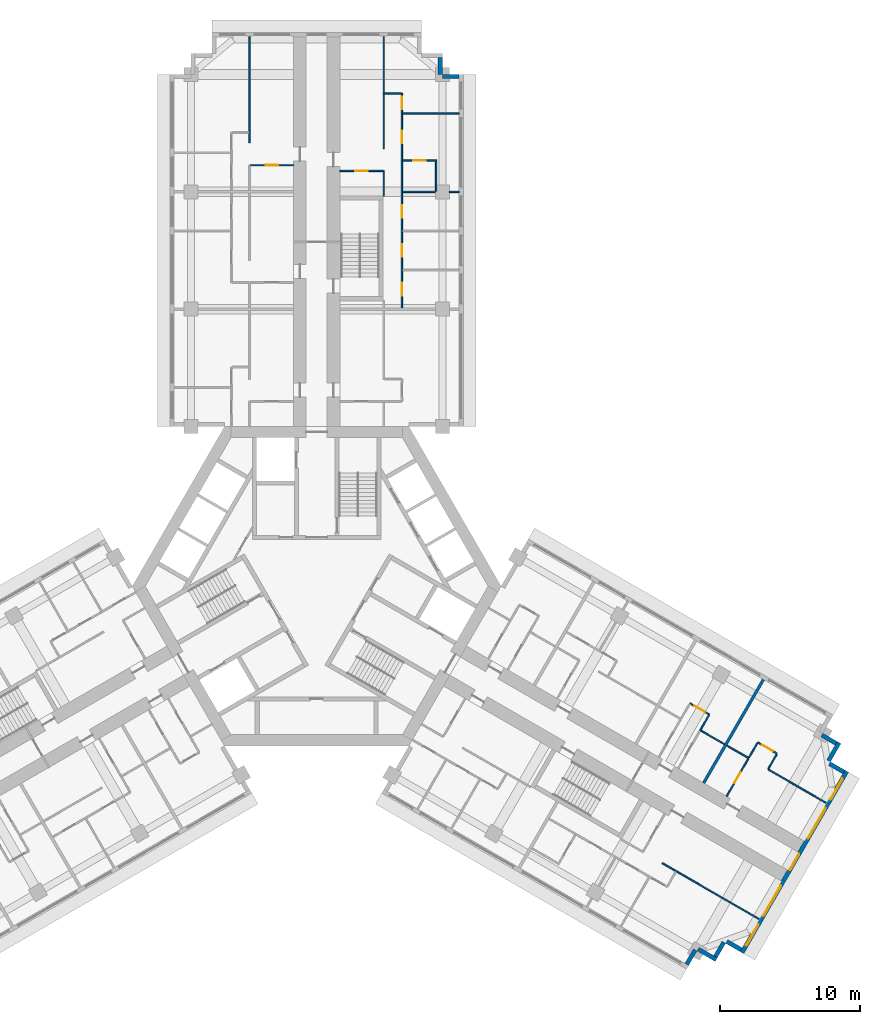
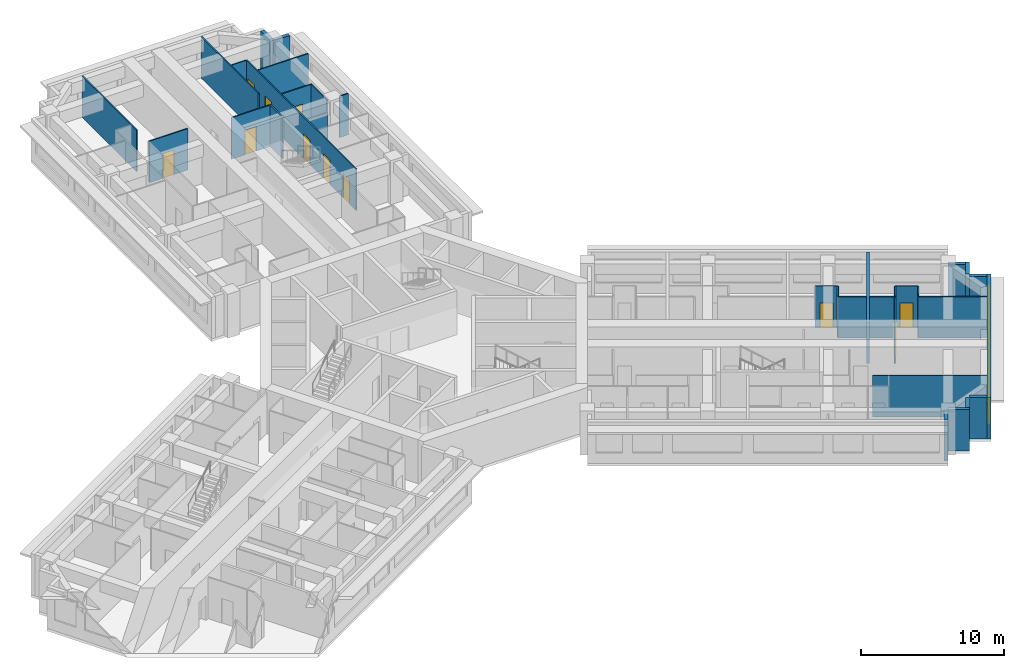
# One storey, part 10 of 12: 33 walls, 11 doors, 5 windows, 16 openings.
"""IFC4 building model written with IfcOpenShell, lengths in metres."""

from ifc_helpers import new_model, si_unit, direction, frame, frame_2d, origin, place, context, subcontext, project, spatial, rectangle, extrude, material, layer, layer_set, type_object, element, fill, save


model = new_model("IFC4")

# Units and contexts
model_context = context("Model", 3, precision=1e-05, world=origin(), true_north=direction((0.0, 1.0)))
body_context = subcontext(model_context, "Body", "Model", "MODEL_VIEW")
ifc_project = project(units=[si_unit("LENGTHUNIT", "METRE"), si_unit("AREAUNIT", "SQUARE_METRE"), si_unit("VOLUMEUNIT", "CUBIC_METRE"), si_unit("PLANEANGLEUNIT", "RADIAN"), si_unit("MASSUNIT", "GRAM", prefix="KILO")], contexts=[model_context])

# Site, building, storey
site_placement = place(None, origin())
site = spatial("IfcSite", under=ifc_project, at=site_placement, CompositionType="ELEMENT")
building_placement = place(site_placement, origin())
building = spatial("IfcBuilding", under=site, at=building_placement, Name="Impinga Residences", CompositionType="ELEMENT")
storey_placement = place(building_placement, frame((0.0, 0.0, 166.0)))
storey = spatial("IfcBuildingStorey", under=building, at=storey_placement, Name="L41", CompositionType="ELEMENT", Elevation=166.0)

# Walls
ifc_material_1 = material(Name="Terracotta rainscreen on blockwork", Category="masonry")
ifc_layer_1 = layer(ifc_material_1, 0.300048828125)
ifc_layer_set_1 = layer_set([ifc_layer_1], Name="EW1 external wall, terracotta rainscreen on blockwork 300")
wall_type_1 = type_object("IfcWallType", Name="EW1 external wall, terracotta rainscreen on blockwork 300", PredefinedType="SOLIDWALL", material=ifc_layer_set_1)
wall_1_placement = place(storey_placement, frame((8.85009765625, 37.83154296875, 0.0), z_axis=(0.0, 0.0, 1.0), x_axis=(0.0, -1.0, 0.0)))
element("IfcWall", 1, at=wall_1_placement, inside=storey, type_object=wall_type_1, Name="External wall EW1 L41", PredefinedType="SOLIDWALL", context=body_context, shape_type="SweptSolid", body=[
    extrude(rectangle(XDim=1.199951171875, YDim=0.300048828125, at=frame_2d((0.60009765625, 0.0))), origin(), (0.0, 0.0, 1.0), 3.530029296875),
])
for number, where, z_axis, x_axis, name in (
    (2, (9.0048828125, 36.4814453125, 0.0), (0.0, 0.0, 1.0), (1.0, 0.0, 0.0), "External wall EW1 L41"),
    (3, (36.153076171875, -10.654052734375, 0.0), (0.0, 0.0, 1.0), (0.866059708757, -0.499940577336, 0.0), "External wall EW1 L41"),
):
    element("IfcWall", number, at=place(storey_placement, frame(where, z_axis=z_axis, x_axis=x_axis)), inside=storey, type_object=wall_type_1, Name=name, PredefinedType="SOLIDWALL", context=body_context, shape_type="SweptSolid", body=[
        extrude(rectangle(XDim=1.195068359375, YDim=0.300048828125, at=frame_2d((0.59765625, 0.0))), origin(), (0.0, 0.0, 1.0), 3.530029296875),
    ])
wall_2_placement = place(storey_placement, frame((37.39306640625, -11.196533203125, 0.0), z_axis=(0.0, 0.0, 1.0), x_axis=(-0.499990139034, -0.866031096941, 0.0)))
element("IfcWall", 4, at=wall_2_placement, inside=storey, type_object=wall_type_1, Name="External wall EW1 L41", PredefinedType="SOLIDWALL", context=body_context, shape_type="SweptSolid", body=[
    extrude(rectangle(XDim=1.5, YDim=0.300048828125, at=frame_2d((0.75, 0.0))), origin(), (0.0, 0.0, 1.0), 3.530029296875),
])
wall_3_placement = place(storey_placement, frame((36.7021484375, -12.702880859375, 0.0), z_axis=(0.0, 0.0, 1.0), x_axis=(0.865971243484, -0.500093796661, 0.0)))
element("IfcWall", 5, at=wall_3_placement, inside=storey, type_object=wall_type_1, Name="External wall EW1 L41", PredefinedType="SOLIDWALL", context=body_context, shape_type="SweptSolid", body=[
    extrude(rectangle(XDim=1.195068359375, YDim=0.300048828125, at=frame_2d((0.59765625, 0.0))), origin(), (0.0, 0.0, 1.0), 3.530029296875),
])

# Wall, openings, windows
wall_4_placement = place(storey_placement, frame((37.94189453125, -13.24560546875, 0.0), z_axis=(0.0, 0.0, 1.0), x_axis=(-0.500004234368, -0.866022959057, 0.0)))
wall_4 = element("IfcWall", 6, at=wall_4_placement, inside=storey, type_object=wall_type_1, Name="External wall EW1 L41", PredefinedType="SOLIDWALL", context=body_context, shape_type="SweptSolid", body=[
    extrude(rectangle(XDim=14.999755859375, YDim=0.300048828125, at=frame_2d((7.5, 0.0))), origin(), (0.0, 0.0, 1.0), 3.530029296875),
])
opening_1_placement = place(wall_4_placement, frame((0.60009765625, 0.0, 0.89990234375)))
opening_1 = element("IfcOpeningElement", 7, at=opening_1_placement, cuts=wall_4, Name="Opening W1", PredefinedType="OPENING", context=body_context, shape_type="SweptSolid", body=[
    extrude(rectangle(XDim=1.75, YDim=2.050048828125, at=frame_2d((0.875, 1.02490234375))), frame((0.0, 0.159912109375, 0.0), z_axis=(0.0, -1.0, 0.0), x_axis=(1.0, 0.0, 0.0)), (0.0, 0.0, 1.0), 0.320068359375),
])
opening_2_placement = place(wall_4_placement, frame((3.050048828125, 0.0, 0.89990234375)))
opening_2 = element("IfcOpeningElement", 8, at=opening_2_placement, cuts=wall_4, Name="Opening W2", PredefinedType="OPENING", context=body_context, shape_type="SweptSolid", body=[
    extrude(rectangle(XDim=2.5, YDim=2.050048828125, at=frame_2d((1.25, 1.02490234375))), frame((0.0, 0.159912109375, 0.0), z_axis=(0.0, -1.0, 0.0), x_axis=(1.0, 0.0, 0.0)), (0.0, 0.0, 1.0), 0.320068359375),
])
opening_3_placement = place(wall_4_placement, frame((6.85009765625, 0.0, 0.89990234375)))
opening_3 = element("IfcOpeningElement", 9, at=opening_3_placement, cuts=wall_4, Name="Opening WE1", PredefinedType="OPENING", context=body_context, shape_type="SweptSolid", body=[
    extrude(rectangle(XDim=1.300048828125, YDim=2.050048828125, at=frame_2d((0.64990234375, 1.02490234375))), frame((0.0, 0.159912109375, 0.0), z_axis=(0.0, -1.0, 0.0), x_axis=(1.0, 0.0, 0.0)), (0.0, 0.0, 1.0), 0.320068359375),
])
opening_4_placement = place(wall_4_placement, frame((9.449951171875, 0.0, 0.89990234375)))
opening_4 = element("IfcOpeningElement", 10, at=opening_4_placement, cuts=wall_4, Name="Opening W2", PredefinedType="OPENING", context=body_context, shape_type="SweptSolid", body=[
    extrude(rectangle(XDim=2.5, YDim=2.050048828125, at=frame_2d((1.25, 1.02490234375))), frame((0.0, 0.159912109375, 0.0), z_axis=(0.0, -1.0, 0.0), x_axis=(1.0, 0.0, 0.0)), (0.0, 0.0, 1.0), 0.320068359375),
])
opening_5_placement = place(wall_4_placement, frame((12.64990234375, 0.0, 0.89990234375)))
opening_5 = element("IfcOpeningElement", 11, at=opening_5_placement, cuts=wall_4, Name="Opening W1", PredefinedType="OPENING", context=body_context, shape_type="SweptSolid", body=[
    extrude(rectangle(XDim=1.75, YDim=2.050048828125, at=frame_2d((0.875, 1.02490234375))), frame((0.0, 0.159912109375, 0.0), z_axis=(0.0, -1.0, 0.0), x_axis=(1.0, 0.0, 0.0)), (0.0, 0.0, 1.0), 0.320068359375),
])
ifc_material_2 = material(Name="Aluminium window, clear double glazing", Category="aluminium")
window_type_1 = type_object("IfcWindowType", Name="W1 ribbon window 1750x2050", PartitioningType="SINGLE_PANEL", PredefinedType="WINDOW", material=ifc_material_2)
window_1_placement = place(opening_1_placement, origin())
window_1 = element("IfcWindow", 12, at=window_1_placement, inside=storey, type_object=window_type_1, Name="Window L41", OverallHeight=2.050048828125, OverallWidth=1.75, PartitioningType="SINGLE_PANEL", PredefinedType="WINDOW", context=body_context, shape_type="SweptSolid", body=[
    extrude(rectangle(XDim=1.75, YDim=2.050048828125, at=frame_2d((0.875, 1.02490234375))), frame((0.0, 0.030029296875, 0.0), z_axis=(0.0, -1.0, 0.0), x_axis=(1.0, 0.0, 0.0)), (0.0, 0.0, 1.0), 0.06005859375),
])
fill(opening_1, window_1)
window_2_placement = place(opening_5_placement, origin())
window_2 = element("IfcWindow", 13, at=window_2_placement, inside=storey, type_object=window_type_1, Name="Window L41", OverallHeight=2.050048828125, OverallWidth=1.75, PartitioningType="SINGLE_PANEL", PredefinedType="WINDOW", context=body_context, shape_type="SweptSolid", body=[
    extrude(rectangle(XDim=1.75, YDim=2.050048828125, at=frame_2d((0.875, 1.02490234375))), frame((0.0, 0.030029296875, 0.0), z_axis=(0.0, -1.0, 0.0), x_axis=(1.0, 0.0, 0.0)), (0.0, 0.0, 1.0), 0.06005859375),
])
fill(opening_5, window_2)
window_type_2 = type_object("IfcWindowType", Name="W2 ribbon window 2500x2050", PartitioningType="SINGLE_PANEL", PredefinedType="WINDOW", material=ifc_material_2)
window_3_placement = place(opening_2_placement, origin())
window_3 = element("IfcWindow", 14, at=window_3_placement, inside=storey, type_object=window_type_2, Name="Window L41", OverallHeight=2.050048828125, OverallWidth=2.5, PartitioningType="SINGLE_PANEL", PredefinedType="WINDOW", context=body_context, shape_type="SweptSolid", body=[
    extrude(rectangle(XDim=2.5, YDim=2.050048828125, at=frame_2d((1.25, 1.02490234375))), frame((0.0, 0.030029296875, 0.0), z_axis=(0.0, -1.0, 0.0), x_axis=(1.0, 0.0, 0.0)), (0.0, 0.0, 1.0), 0.06005859375),
])
fill(opening_2, window_3)
window_4_placement = place(opening_4_placement, origin())
window_4 = element("IfcWindow", 15, at=window_4_placement, inside=storey, type_object=window_type_2, Name="Window L41", OverallHeight=2.050048828125, OverallWidth=2.5, PartitioningType="SINGLE_PANEL", PredefinedType="WINDOW", context=body_context, shape_type="SweptSolid", body=[
    extrude(rectangle(XDim=2.5, YDim=2.050048828125, at=frame_2d((1.25, 1.02490234375))), frame((0.0, 0.030029296875, 0.0), z_axis=(0.0, -1.0, 0.0), x_axis=(1.0, 0.0, 0.0)), (0.0, 0.0, 1.0), 0.06005859375),
])
fill(opening_4, window_4)
window_type_3 = type_object("IfcWindowType", Name="WE1 corridor window 1300x2050", PartitioningType="SINGLE_PANEL", PredefinedType="WINDOW", material=ifc_material_2)
window_5_placement = place(opening_3_placement, origin())
window_5 = element("IfcWindow", 16, at=window_5_placement, inside=storey, type_object=window_type_3, Name="Window L41", OverallHeight=2.050048828125, OverallWidth=1.300048828125, PartitioningType="SINGLE_PANEL", PredefinedType="WINDOW", context=body_context, shape_type="SweptSolid", body=[
    extrude(rectangle(XDim=1.300048828125, YDim=2.050048828125, at=frame_2d((0.64990234375, 1.02490234375))), frame((0.0, 0.030029296875, 0.0), z_axis=(0.0, -1.0, 0.0), x_axis=(1.0, 0.0, 0.0)), (0.0, 0.0, 1.0), 0.06005859375),
])
fill(opening_3, window_5)

# Walls
wall_5_placement = place(storey_placement, frame((30.38720703125, -26.031005859375, 0.0), z_axis=(0.0, 0.0, 1.0), x_axis=(-0.866059708757, 0.499940577336, 0.0)))
element("IfcWall", 17, at=wall_5_placement, inside=storey, type_object=wall_type_1, Name="External wall EW1 L41", PredefinedType="SOLIDWALL", context=body_context, shape_type="SweptSolid", body=[
    extrude(rectangle(XDim=1.195068359375, YDim=0.300048828125, at=frame_2d((0.59765625, 0.0))), origin(), (0.0, 0.0, 1.0), 3.530029296875),
])
wall_6_placement = place(storey_placement, frame((29.14306640625, -25.48583984375, 0.0), z_axis=(0.0, 0.0, 1.0), x_axis=(-0.500033551112, -0.866006032174, 0.0)))
element("IfcWall", 18, at=wall_6_placement, inside=storey, type_object=wall_type_1, Name="External wall EW1 L41", PredefinedType="SOLIDWALL", context=body_context, shape_type="SweptSolid", body=[
    extrude(rectangle(XDim=1.2001953125, YDim=0.300048828125, at=frame_2d((0.60009765625, 0.0))), origin(), (0.0, 0.0, 1.0), 3.530029296875),
])
wall_7_placement = place(storey_placement, frame((28.597900390625, -26.72998046875, 0.0), z_axis=(0.0, 0.0, 1.0), x_axis=(-0.866031096941, 0.499990139034, 0.0)))
element("IfcWall", 19, at=wall_7_placement, inside=storey, type_object=wall_type_1, Name="External wall EW1 L41", PredefinedType="SOLIDWALL", context=body_context, shape_type="SweptSolid", body=[
    extrude(rectangle(XDim=1.5, YDim=0.300048828125, at=frame_2d((0.75, 0.0))), origin(), (0.0, 0.0, 1.0), 3.530029296875),
])
wall_8_placement = place(storey_placement, frame((27.091552734375, -26.039306640625, 0.0), z_axis=(0.0, 0.0, 1.0), x_axis=(-0.500093796661, -0.865971243484, 0.0)))
element("IfcWall", 20, at=wall_8_placement, inside=storey, type_object=wall_type_1, Name="External wall EW1 L41", PredefinedType="SOLIDWALL", context=body_context, shape_type="SweptSolid", body=[
    extrude(rectangle(XDim=1.195068359375, YDim=0.300048828125, at=frame_2d((0.59765625, 0.0))), origin(), (0.0, 0.0, 1.0), 3.530029296875),
])
ifc_material_3 = material(Name="Gypsum board on steel studs", Category="steel")
ifc_layer_2 = layer(ifc_material_3, 0.10009765625)
ifc_layer_set_2 = layer_set([ifc_layer_2], Name="Gypsum board on steel studs")
wall_type_2 = type_object("IfcWallType", Name="IP1 partition 100", PredefinedType="PARTITIONING", material=ifc_layer_set_2)
wall_9_placement = place(storey_placement, frame((-4.800048828125, 31.7314453125, 0.0), z_axis=(0.0, 0.0, 1.0), x_axis=(0.0, 1.0, 0.0)))
element("IfcWall", 21, at=wall_9_placement, inside=storey, type_object=wall_type_2, Name="Partition L41-NA3:DIV1", PredefinedType="PARTITIONING", context=body_context, shape_type="SweptSolid", body=[
    extrude(rectangle(XDim=7.60009765625, YDim=0.10009765625, at=frame_2d((3.800048828125, 0.0))), origin(), (0.0, 0.0, 1.0), 3.530029296875),
])

# Wall, opening, door
wall_10_placement = place(storey_placement, frame((-1.64990234375, 30.131591796875, 0.0), z_axis=(0.0, 0.0, 1.0), x_axis=(-1.0, 0.0, 0.0)))
wall_10 = element("IfcWall", 22, at=wall_10_placement, inside=storey, type_object=wall_type_2, Name="Partition L41-NA3:IB1", PredefinedType="PARTITIONING", context=body_context, shape_type="SweptSolid", body=[
    extrude(rectangle(XDim=3.10009765625, YDim=0.10009765625, at=frame_2d((1.550048828125, 0.0))), origin(), (0.0, 0.0, 1.0), 3.530029296875),
])
opening_6_placement = place(wall_10_placement, frame((1.10009765625, 0.0, 0.0)))
opening_6 = element("IfcOpeningElement", 23, at=opening_6_placement, cuts=wall_10, Name="Opening D2", PredefinedType="OPENING", context=body_context, shape_type="SweptSolid", body=[
    extrude(rectangle(XDim=0.89990234375, YDim=2.10009765625, at=frame_2d((0.449951171875, 1.050048828125))), frame((0.0, 0.06005859375, 0.0), z_axis=(0.0, -1.0, 0.0), x_axis=(1.0, 0.0, 0.0)), (0.0, 0.0, 1.0), 0.1201171875),
])
ifc_material_4 = material(Name="Timber door set", Category="wood")
door_type = type_object("IfcDoorType", Name="D2 internal door 900x2100", OperationType="SINGLE_SWING_LEFT", PredefinedType="DOOR", material=ifc_material_4)
door_1_placement = place(opening_6_placement, origin())
door_1 = element("IfcDoor", 24, at=door_1_placement, inside=storey, type_object=door_type, Name="Apartment L41-NA3 bathroom door", OperationType="SINGLE_SWING_LEFT", OverallHeight=2.10009765625, OverallWidth=0.89990234375, PredefinedType="DOOR", context=body_context, shape_type="SweptSolid", body=[
    extrude(rectangle(XDim=0.89990234375, YDim=2.10009765625, at=frame_2d((0.449951171875, 1.050048828125))), frame((0.0, 0.02490234375, 0.0), z_axis=(0.0, -1.0, 0.0), x_axis=(1.0, 0.0, 0.0)), (0.0, 0.0, 1.0), 0.050048828125),
])
fill(opening_6, door_1)

# Walls
wall_11_placement = place(storey_placement, frame((4.800048828125, 27.931640625, 0.0), z_axis=(0.0, 0.0, 1.0), x_axis=(0.0, 1.0, 0.0)))
element("IfcWall", 25, at=wall_11_placement, inside=storey, type_object=wall_type_2, Name="Partition L41-NF2:DIV1", PredefinedType="PARTITIONING", context=body_context, shape_type="SweptSolid", body=[
    extrude(rectangle(XDim=1.7998046875, YDim=0.10009765625, at=frame_2d((0.89990234375, 0.0))), origin(), (0.0, 0.0, 1.0), 3.530029296875),
])
wall_12_placement = place(storey_placement, frame((4.800048828125, 31.33154296875, 0.0), z_axis=(0.0, 0.0, 1.0), x_axis=(0.0, 1.0, 0.0)))
element("IfcWall", 26, at=wall_12_placement, inside=storey, type_object=wall_type_2, Name="Partition L41-NF2:DIV2", PredefinedType="PARTITIONING", context=body_context, shape_type="SweptSolid", body=[
    extrude(rectangle(XDim=8.0, YDim=0.10009765625, at=frame_2d((4.0, 0.0))), origin(), (0.0, 0.0, 1.0), 3.530029296875),
])

# Wall, openings, doors
wall_13_placement = place(storey_placement, frame((6.10009765625, 19.931640625, 0.0), z_axis=(0.0, 0.0, 1.0), x_axis=(0.0, 1.0, 0.0)))
wall_13 = element("IfcWall", 27, at=wall_13_placement, inside=storey, type_object=wall_type_2, Name="Partition L41-NF2:STRIP", PredefinedType="PARTITIONING", context=body_context, shape_type="SweptSolid", body=[
    extrude(rectangle(XDim=15.349853515625, YDim=0.10009765625, at=frame_2d((7.6748046875, 0.0))), origin(), (0.0, 0.0, 1.0), 3.530029296875),
])
opening_7_placement = place(wall_13_placement, frame((0.875, 0.0, 0.0)))
opening_7 = element("IfcOpeningElement", 28, at=opening_7_placement, cuts=wall_13, Name="Opening D2", PredefinedType="OPENING", context=body_context, shape_type="SweptSolid", body=[
    extrude(rectangle(XDim=0.89990234375, YDim=2.10009765625, at=frame_2d((0.449951171875, 1.050048828125))), frame((0.0, 0.06005859375, 0.0), z_axis=(0.0, -1.0, 0.0), x_axis=(1.0, 0.0, 0.0)), (0.0, 0.0, 1.0), 0.1201171875),
])
opening_8_placement = place(wall_13_placement, frame((3.64990234375, 0.0, 0.0)))
opening_8 = element("IfcOpeningElement", 29, at=opening_8_placement, cuts=wall_13, Name="Opening D2", PredefinedType="OPENING", context=body_context, shape_type="SweptSolid", body=[
    extrude(rectangle(XDim=0.89990234375, YDim=2.10009765625, at=frame_2d((0.449951171875, 1.050048828125))), frame((0.0, 0.06005859375, 0.0), z_axis=(0.0, -1.0, 0.0), x_axis=(1.0, 0.0, 0.0)), (0.0, 0.0, 1.0), 0.1201171875),
])
opening_9_placement = place(wall_13_placement, frame((6.449951171875, 0.0, 0.0)))
opening_9 = element("IfcOpeningElement", 30, at=opening_9_placement, cuts=wall_13, Name="Opening D2", PredefinedType="OPENING", context=body_context, shape_type="SweptSolid", body=[
    extrude(rectangle(XDim=0.89990234375, YDim=2.10009765625, at=frame_2d((0.449951171875, 1.050048828125))), frame((0.0, 0.06005859375, 0.0), z_axis=(0.0, -1.0, 0.0), x_axis=(1.0, 0.0, 0.0)), (0.0, 0.0, 1.0), 0.1201171875),
])
opening_10_placement = place(wall_13_placement, frame((11.77490234375, 0.0, 0.0)))
opening_10 = element("IfcOpeningElement", 31, at=opening_10_placement, cuts=wall_13, Name="Opening D2", PredefinedType="OPENING", context=body_context, shape_type="SweptSolid", body=[
    extrude(rectangle(XDim=0.89990234375, YDim=2.10009765625, at=frame_2d((0.449951171875, 1.050048828125))), frame((0.0, 0.06005859375, 0.0), z_axis=(0.0, -1.0, 0.0), x_axis=(1.0, 0.0, 0.0)), (0.0, 0.0, 1.0), 0.1201171875),
])
opening_11_placement = place(wall_13_placement, frame((14.199951171875, 0.0, 0.0)))
opening_11 = element("IfcOpeningElement", 32, at=opening_11_placement, cuts=wall_13, Name="Opening D2", PredefinedType="OPENING", context=body_context, shape_type="SweptSolid", body=[
    extrude(rectangle(XDim=0.89990234375, YDim=2.10009765625, at=frame_2d((0.449951171875, 1.050048828125))), frame((0.0, 0.06005859375, 0.0), z_axis=(0.0, -1.0, 0.0), x_axis=(1.0, 0.0, 0.0)), (0.0, 0.0, 1.0), 0.1201171875),
])
door_2_placement = place(opening_7_placement, origin())
door_2 = element("IfcDoor", 33, at=door_2_placement, inside=storey, type_object=door_type, Name="Apartment L41-NF2 room door", OperationType="SINGLE_SWING_LEFT", OverallHeight=2.10009765625, OverallWidth=0.89990234375, PredefinedType="DOOR", context=body_context, shape_type="SweptSolid", body=[
    extrude(rectangle(XDim=0.89990234375, YDim=2.10009765625, at=frame_2d((0.449951171875, 1.050048828125))), frame((0.0, 0.02490234375, 0.0), z_axis=(0.0, -1.0, 0.0), x_axis=(1.0, 0.0, 0.0)), (0.0, 0.0, 1.0), 0.050048828125),
])
fill(opening_7, door_2)
door_3_placement = place(opening_8_placement, origin())
door_3 = element("IfcDoor", 34, at=door_3_placement, inside=storey, type_object=door_type, Name="Apartment L41-NF2 room door", OperationType="SINGLE_SWING_LEFT", OverallHeight=2.10009765625, OverallWidth=0.89990234375, PredefinedType="DOOR", context=body_context, shape_type="SweptSolid", body=[
    extrude(rectangle(XDim=0.89990234375, YDim=2.10009765625, at=frame_2d((0.449951171875, 1.050048828125))), frame((0.0, 0.02490234375, 0.0), z_axis=(0.0, -1.0, 0.0), x_axis=(1.0, 0.0, 0.0)), (0.0, 0.0, 1.0), 0.050048828125),
])
fill(opening_8, door_3)
door_4_placement = place(opening_9_placement, origin())
door_4 = element("IfcDoor", 35, at=door_4_placement, inside=storey, type_object=door_type, Name="Apartment L41-NF2 room door", OperationType="SINGLE_SWING_LEFT", OverallHeight=2.10009765625, OverallWidth=0.89990234375, PredefinedType="DOOR", context=body_context, shape_type="SweptSolid", body=[
    extrude(rectangle(XDim=0.89990234375, YDim=2.10009765625, at=frame_2d((0.449951171875, 1.050048828125))), frame((0.0, 0.02490234375, 0.0), z_axis=(0.0, -1.0, 0.0), x_axis=(1.0, 0.0, 0.0)), (0.0, 0.0, 1.0), 0.050048828125),
])
fill(opening_9, door_4)
door_5_placement = place(opening_10_placement, origin())
door_5 = element("IfcDoor", 36, at=door_5_placement, inside=storey, type_object=door_type, Name="Apartment L41-NF2 room door", OperationType="SINGLE_SWING_RIGHT", OverallHeight=2.10009765625, OverallWidth=0.89990234375, PredefinedType="DOOR", context=body_context, shape_type="SweptSolid", body=[
    extrude(rectangle(XDim=0.89990234375, YDim=2.10009765625, at=frame_2d((0.449951171875, 1.050048828125))), frame((0.0, 0.02490234375, 0.0), z_axis=(0.0, -1.0, 0.0), x_axis=(1.0, 0.0, 0.0)), (0.0, 0.0, 1.0), 0.050048828125),
])
fill(opening_10, door_5)
door_6_placement = place(opening_11_placement, origin())
door_6 = element("IfcDoor", 37, at=door_6_placement, inside=storey, type_object=door_type, Name="Apartment L41-NF2 room door", OperationType="SINGLE_SWING_RIGHT", OverallHeight=2.10009765625, OverallWidth=0.89990234375, PredefinedType="DOOR", context=body_context, shape_type="SweptSolid", body=[
    extrude(rectangle(XDim=0.89990234375, YDim=2.10009765625, at=frame_2d((0.449951171875, 1.050048828125))), frame((0.0, 0.02490234375, 0.0), z_axis=(0.0, -1.0, 0.0), x_axis=(1.0, 0.0, 0.0)), (0.0, 0.0, 1.0), 0.050048828125),
])
fill(opening_11, door_6)

# Wall
wall_14_placement = place(storey_placement, frame((4.85009765625, 35.281494140625, 0.0), z_axis=(0.0, 0.0, 1.0), x_axis=(1.0, 0.0, 0.0)))
element("IfcWall", 38, at=wall_14_placement, inside=storey, type_object=wall_type_2, Name="Partition L41-NF2:SE1", PredefinedType="PARTITIONING", context=body_context, shape_type="SweptSolid", body=[
    extrude(rectangle(XDim=1.199951171875, YDim=0.10009765625, at=frame_2d((0.60009765625, 0.0))), origin(), (0.0, 0.0, 1.0), 3.530029296875),
])

# Wall, opening, door
wall_15_placement = place(storey_placement, frame((1.64990234375, 29.7314453125, 0.0), z_axis=(0.0, 0.0, 1.0), x_axis=(1.0, 0.0, 0.0)))
wall_15 = element("IfcWall", 39, at=wall_15_placement, inside=storey, type_object=wall_type_2, Name="Partition L41-NF2:IB1", PredefinedType="PARTITIONING", context=body_context, shape_type="SweptSolid", body=[
    extrude(rectangle(XDim=3.10009765625, YDim=0.10009765625, at=frame_2d((1.550048828125, 0.0))), origin(), (0.0, 0.0, 1.0), 3.530029296875),
])
opening_12_placement = place(wall_15_placement, frame((1.10009765625, 0.0, 0.0)))
opening_12 = element("IfcOpeningElement", 40, at=opening_12_placement, cuts=wall_15, Name="Opening D2", PredefinedType="OPENING", context=body_context, shape_type="SweptSolid", body=[
    extrude(rectangle(XDim=0.89990234375, YDim=2.10009765625, at=frame_2d((0.449951171875, 1.050048828125))), frame((0.0, 0.06005859375, 0.0), z_axis=(0.0, -1.0, 0.0), x_axis=(1.0, 0.0, 0.0)), (0.0, 0.0, 1.0), 0.1201171875),
])
door_7_placement = place(opening_12_placement, origin())
door_7 = element("IfcDoor", 41, at=door_7_placement, inside=storey, type_object=door_type, Name="Apartment L41-NF2 bathroom door", OperationType="SINGLE_SWING_LEFT", OverallHeight=2.10009765625, OverallWidth=0.89990234375, PredefinedType="DOOR", context=body_context, shape_type="SweptSolid", body=[
    extrude(rectangle(XDim=0.89990234375, YDim=2.10009765625, at=frame_2d((0.449951171875, 1.050048828125))), frame((0.0, 0.02490234375, 0.0), z_axis=(0.0, -1.0, 0.0), x_axis=(1.0, 0.0, 0.0)), (0.0, 0.0, 1.0), 0.050048828125),
])
fill(opening_12, door_7)

# Walls
wall_16_placement = place(storey_placement, frame((6.14990234375, 28.2314453125, 0.0), z_axis=(0.0, 0.0, 1.0), x_axis=(1.0, 0.0, 0.0)))
element("IfcWall", 42, at=wall_16_placement, inside=storey, type_object=wall_type_2, Name="Partition L41-NF2:OB3", PredefinedType="PARTITIONING", context=body_context, shape_type="SweptSolid", body=[
    extrude(rectangle(XDim=2.35009765625, YDim=0.10009765625, at=frame_2d((1.175048828125, 0.0))), origin(), (0.0, 0.0, 1.0), 2.47998046875),
])
wall_17_placement = place(storey_placement, frame((9.5, 28.2314453125, 0.0), z_axis=(0.0, 0.0, 1.0), x_axis=(1.0, 0.0, 0.0)))
element("IfcWall", 43, at=wall_17_placement, inside=storey, type_object=wall_type_2, Name="Partition L41-NF2:OB3b", PredefinedType="PARTITIONING", context=body_context, shape_type="SweptSolid", body=[
    extrude(rectangle(XDim=0.699951171875, YDim=0.10009765625, at=frame_2d((0.35009765625, 0.0))), origin(), (0.0, 0.0, 1.0), 3.530029296875),
])
wall_18_placement = place(storey_placement, frame((6.14990234375, 33.83154296875, 0.0), z_axis=(0.0, 0.0, 1.0), x_axis=(1.0, 0.0, 0.0)))
element("IfcWall", 44, at=wall_18_placement, inside=storey, type_object=wall_type_2, Name="Partition L41-NF2:OB4", PredefinedType="PARTITIONING", context=body_context, shape_type="SweptSolid", body=[
    extrude(rectangle(XDim=4.050048828125, YDim=0.10009765625, at=frame_2d((2.02490234375, 0.0))), origin(), (0.0, 0.0, 1.0), 3.530029296875),
])

# Wall, opening, door
wall_19_placement = place(storey_placement, frame((6.14990234375, 30.4814453125, 0.0), z_axis=(0.0, 0.0, 1.0), x_axis=(1.0, 0.0, 0.0)))
wall_19 = element("IfcWall", 45, at=wall_19_placement, inside=storey, type_object=wall_type_2, Name="Partition L41-NF2:EN1", PredefinedType="PARTITIONING", context=body_context, shape_type="SweptSolid", body=[
    extrude(rectangle(XDim=2.4501953125, YDim=0.10009765625, at=frame_2d((1.22509765625, 0.0))), origin(), (0.0, 0.0, 1.0), 3.530029296875),
])
opening_13_placement = place(wall_19_placement, frame((0.75, 0.0, 0.0)))
opening_13 = element("IfcOpeningElement", 46, at=opening_13_placement, cuts=wall_19, Name="Opening D2", PredefinedType="OPENING", context=body_context, shape_type="SweptSolid", body=[
    extrude(rectangle(XDim=0.89990234375, YDim=2.10009765625, at=frame_2d((0.449951171875, 1.050048828125))), frame((0.0, 0.06005859375, 0.0), z_axis=(0.0, -1.0, 0.0), x_axis=(1.0, 0.0, 0.0)), (0.0, 0.0, 1.0), 0.1201171875),
])
door_8_placement = place(opening_13_placement, origin())
door_8 = element("IfcDoor", 47, at=door_8_placement, inside=storey, type_object=door_type, Name="Apartment L41-NF2 en-suite door", OperationType="SINGLE_SWING_LEFT", OverallHeight=2.10009765625, OverallWidth=0.89990234375, PredefinedType="DOOR", context=body_context, shape_type="SweptSolid", body=[
    extrude(rectangle(XDim=0.89990234375, YDim=2.10009765625, at=frame_2d((0.449951171875, 1.050048828125))), frame((0.0, 0.02490234375, 0.0), z_axis=(0.0, -1.0, 0.0), x_axis=(1.0, 0.0, 0.0)), (0.0, 0.0, 1.0), 0.050048828125),
])
fill(opening_13, door_8)

# Walls
wall_20_placement = place(storey_placement, frame((8.550048828125, 28.281494140625, 0.0), z_axis=(0.0, 0.0, 1.0), x_axis=(0.0, 1.0, 0.0)))
element("IfcWall", 48, at=wall_20_placement, inside=storey, type_object=wall_type_2, Name="Partition L41-NF2:EN2", PredefinedType="PARTITIONING", context=body_context, shape_type="SweptSolid", body=[
    extrude(rectangle(XDim=2.150146484375, YDim=0.10009765625, at=frame_2d((1.0751953125, 0.0))), origin(), (0.0, 0.0, 1.0), 3.530029296875),
])
wall_21_placement = place(storey_placement, frame((27.45556640625, -10.308837890625, 0.0), z_axis=(0.0, 0.0, 1.0), x_axis=(0.866010750942, -0.50002537861, 0.0)))
element("IfcWall", 49, at=wall_21_placement, inside=storey, type_object=wall_type_2, Name="Partition L41-EA3:DIV1", PredefinedType="PARTITIONING", context=body_context, shape_type="SweptSolid", body=[
    extrude(rectangle(XDim=2.0, YDim=0.10009765625, at=frame_2d((1.0, 0.0))), origin(), (0.0, 0.0, 1.0), 3.530029296875),
])

# Wall, opening, door
wall_22_placement = place(storey_placement, frame((26.7197265625, -8.383056640625, 0.0), z_axis=(0.0, 0.0, 1.0), x_axis=(0.866028054938, -0.499995408039, 0.0)))
wall_22 = element("IfcWall", 50, at=wall_22_placement, inside=storey, type_object=wall_type_2, Name="Partition L41-EA3:STRIP", PredefinedType="PARTITIONING", context=body_context, shape_type="SweptSolid", body=[
    extrude(rectangle(XDim=1.60009765625, YDim=0.10009765625, at=frame_2d((0.800048828125, 0.0))), origin(), (0.0, 0.0, 1.0), 3.530029296875),
])
opening_14_placement = place(wall_22_placement, frame((0.35009765625, 0.0, 0.0)))
opening_14 = element("IfcOpeningElement", 51, at=opening_14_placement, cuts=wall_22, Name="Opening D2", PredefinedType="OPENING", context=body_context, shape_type="SweptSolid", body=[
    extrude(rectangle(XDim=0.89990234375, YDim=2.10009765625, at=frame_2d((0.449951171875, 1.050048828125))), frame((0.0, 0.06005859375, 0.0), z_axis=(0.0, -1.0, 0.0), x_axis=(1.0, 0.0, 0.0)), (0.0, 0.0, 1.0), 0.1201171875),
])
door_9_placement = place(opening_14_placement, origin())
door_9 = element("IfcDoor", 52, at=door_9_placement, inside=storey, type_object=door_type, Name="Apartment L41-EA3 room door", OperationType="SINGLE_SWING_LEFT", OverallHeight=2.10009765625, OverallWidth=0.89990234375, PredefinedType="DOOR", context=body_context, shape_type="SweptSolid", body=[
    extrude(rectangle(XDim=0.89990234375, YDim=2.10009765625, at=frame_2d((0.449951171875, 1.050048828125))), frame((0.0, 0.02490234375, 0.0), z_axis=(0.0, -1.0, 0.0), x_axis=(1.0, 0.0, 0.0)), (0.0, 0.0, 1.0), 0.050048828125),
])
fill(opening_14, door_9)

# Walls
wall_23_placement = place(storey_placement, frame((27.48046875, -10.265625, 0.0), z_axis=(0.0, 0.0, 1.0), x_axis=(0.500033551112, 0.866006032174, 0.0)))
element("IfcWall", 53, at=wall_23_placement, inside=storey, type_object=wall_type_2, Name="Partition L41-EA3:SE1", PredefinedType="PARTITIONING", context=body_context, shape_type="SweptSolid", body=[
    extrude(rectangle(XDim=1.2001953125, YDim=0.10009765625, at=frame_2d((0.60009765625, 0.0))), origin(), (0.0, 0.0, 1.0), 3.530029296875),
])
wall_24_placement = place(storey_placement, frame((29.360595703125, -11.408935546875, 0.0), z_axis=(0.0, 0.0, 1.0), x_axis=(0.866047807691, -0.499961193289, 0.0)))
element("IfcWall", 54, at=wall_24_placement, inside=storey, type_object=wall_type_2, Name="Partition L41-EA4:DIV0", PredefinedType="PARTITIONING", context=body_context, shape_type="SweptSolid", body=[
    extrude(rectangle(XDim=1.800048828125, YDim=0.10009765625, at=frame_2d((0.89990234375, 0.0))), origin(), (0.0, 0.0, 1.0), 3.530029296875),
])
wall_25_placement = place(storey_placement, frame((32.30517578125, -13.10888671875, 0.0), z_axis=(0.0, 0.0, 1.0), x_axis=(0.866037363387, -0.499979284789, 0.0)))
element("IfcWall", 55, at=wall_25_placement, inside=storey, type_object=wall_type_2, Name="Partition L41-EA4:DIV1", PredefinedType="PARTITIONING", context=body_context, shape_type="SweptSolid", body=[
    extrude(rectangle(XDim=4.800048828125, YDim=0.10009765625, at=frame_2d((2.39990234375, 0.0))), origin(), (0.0, 0.0, 1.0), 3.530029296875),
])

# Wall, opening, door
wall_26_placement = place(storey_placement, frame((31.569580078125, -11.18310546875, 0.0), z_axis=(0.0, 0.0, 1.0), x_axis=(0.866055983265, -0.499947031044, 0.0)))
wall_26 = element("IfcWall", 56, at=wall_26_placement, inside=storey, type_object=wall_type_2, Name="Partition L41-EA4:STRIP", PredefinedType="PARTITIONING", context=body_context, shape_type="SweptSolid", body=[
    extrude(rectangle(XDim=1.599853515625, YDim=0.10009765625, at=frame_2d((0.7998046875, 0.0))), origin(), (0.0, 0.0, 1.0), 3.530029296875),
])
opening_15_placement = place(wall_26_placement, frame((0.35009765625, 0.0, 0.0)))
opening_15 = element("IfcOpeningElement", 57, at=opening_15_placement, cuts=wall_26, Name="Opening D2", PredefinedType="OPENING", context=body_context, shape_type="SweptSolid", body=[
    extrude(rectangle(XDim=0.89990234375, YDim=2.10009765625, at=frame_2d((0.449951171875, 1.050048828125))), frame((0.0, 0.06005859375, 0.0), z_axis=(0.0, -1.0, 0.0), x_axis=(1.0, 0.0, 0.0)), (0.0, 0.0, 1.0), 0.1201171875),
])
door_10_placement = place(opening_15_placement, origin())
door_10 = element("IfcDoor", 58, at=door_10_placement, inside=storey, type_object=door_type, Name="Apartment L41-EA4 room door", OperationType="SINGLE_SWING_LEFT", OverallHeight=2.10009765625, OverallWidth=0.89990234375, PredefinedType="DOOR", context=body_context, shape_type="SweptSolid", body=[
    extrude(rectangle(XDim=0.89990234375, YDim=2.10009765625, at=frame_2d((0.449951171875, 1.050048828125))), frame((0.0, 0.02490234375, 0.0), z_axis=(0.0, -1.0, 0.0), x_axis=(1.0, 0.0, 0.0)), (0.0, 0.0, 1.0), 0.050048828125),
])
fill(opening_15, door_10)

# Walls
for number, where, z_axis, x_axis, name in (
    (59, (30.944580078125, -12.265625, 0.0), (0.0, 0.0, 1.0), (0.499880961361, 0.866094119867, 0.0), "Partition L41-EA4:SE0"),
    (60, (32.330078125, -13.0654296875, 0.0), (0.0, 0.0, 1.0), (0.50012165622, 0.865955154139, 0.0), "Partition L41-EA4:SE1"),
):
    element("IfcWall", number, at=place(storey_placement, frame(where, z_axis=z_axis, x_axis=x_axis)), inside=storey, type_object=wall_type_2, Name=name, PredefinedType="PARTITIONING", context=body_context, shape_type="SweptSolid", body=[
        extrude(rectangle(XDim=1.199951171875, YDim=0.10009765625, at=frame_2d((0.60009765625, 0.0))), origin(), (0.0, 0.0, 1.0), 3.530029296875),
    ])

# Wall, opening, door
wall_27_placement = place(storey_placement, frame((29.344482421875, -15.036865234375, 0.0), z_axis=(0.0, 0.0, 1.0), x_axis=(0.49999285859, 0.86602952684, 0.0)))
wall_27 = element("IfcWall", 61, at=wall_27_placement, inside=storey, type_object=wall_type_2, Name="Partition L41-EA4:IB1", PredefinedType="PARTITIONING", context=body_context, shape_type="SweptSolid", body=[
    extrude(rectangle(XDim=3.10009765625, YDim=0.10009765625, at=frame_2d((1.550048828125, 0.0))), origin(), (0.0, 0.0, 1.0), 3.530029296875),
])
opening_16_placement = place(wall_27_placement, frame((1.10009765625, 0.0, 0.0)))
opening_16 = element("IfcOpeningElement", 62, at=opening_16_placement, cuts=wall_27, Name="Opening D2", PredefinedType="OPENING", context=body_context, shape_type="SweptSolid", body=[
    extrude(rectangle(XDim=0.89990234375, YDim=2.10009765625, at=frame_2d((0.449951171875, 1.050048828125))), frame((0.0, 0.06005859375, 0.0), z_axis=(0.0, -1.0, 0.0), x_axis=(1.0, 0.0, 0.0)), (0.0, 0.0, 1.0), 0.1201171875),
])
door_11_placement = place(opening_16_placement, origin())
door_11 = element("IfcDoor", 63, at=door_11_placement, inside=storey, type_object=door_type, Name="Apartment L41-EA4 bathroom door", OperationType="SINGLE_SWING_LEFT", OverallHeight=2.10009765625, OverallWidth=0.89990234375, PredefinedType="DOOR", context=body_context, shape_type="SweptSolid", body=[
    extrude(rectangle(XDim=0.89990234375, YDim=2.10009765625, at=frame_2d((0.449951171875, 1.050048828125))), frame((0.0, 0.02490234375, 0.0), z_axis=(0.0, -1.0, 0.0), x_axis=(1.0, 0.0, 0.0)), (0.0, 0.0, 1.0), 0.050048828125),
])
fill(opening_16, door_11)

# Walls
wall_28_placement = place(storey_placement, frame((24.73388671875, -19.82275390625, 0.0), z_axis=(0.0, 0.0, 1.0), x_axis=(0.866026010844, -0.49999894854, 0.0)))
element("IfcWall", 64, at=wall_28_placement, inside=storey, type_object=wall_type_2, Name="Partition L41-EF2:DIV1", PredefinedType="PARTITIONING", context=body_context, shape_type="SweptSolid", body=[
    extrude(rectangle(XDim=8.0, YDim=0.10009765625, at=frame_2d((4.0, 0.0))), origin(), (0.0, 0.0, 1.0), 3.530029296875),
])
ifc_material_5 = material(Name="Concrete blockwork", Category="masonry")
ifc_layer_3 = layer(ifc_material_5, 0.199951171875)
ifc_layer_set_3 = layer_set([ifc_layer_3], Name="PW1 party wall between apartments 200")
wall_type_3 = type_object("IfcWallType", Name="PW1 party wall between apartments 200", PredefinedType="SOLIDWALL", material=ifc_layer_set_3)
wall_29_placement = place(storey_placement, frame((27.69921875, -14.0869140625, 0.0), z_axis=(0.0, 0.0, 1.0), x_axis=(0.499990227581, 0.86603104582, 0.0)))
element("IfcWall", 65, at=wall_29_placement, inside=storey, type_object=wall_type_3, Name="Party wall between apartments L41-EA3:PARTY", PredefinedType="SOLIDWALL", context=body_context, shape_type="SweptSolid", body=[
    extrude(rectangle(XDim=8.550048828125, YDim=0.199951171875, at=frame_2d((4.27490234375, 0.0))), origin(), (0.0, 0.0, 1.0), 3.530029296875),
])

save(model, "model.ifc")
